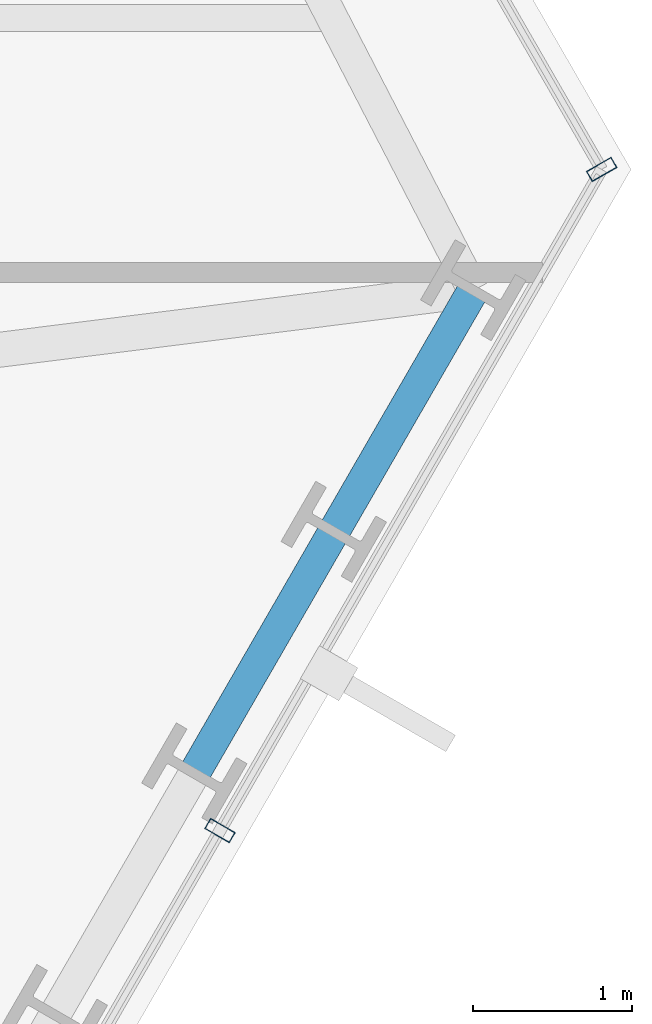
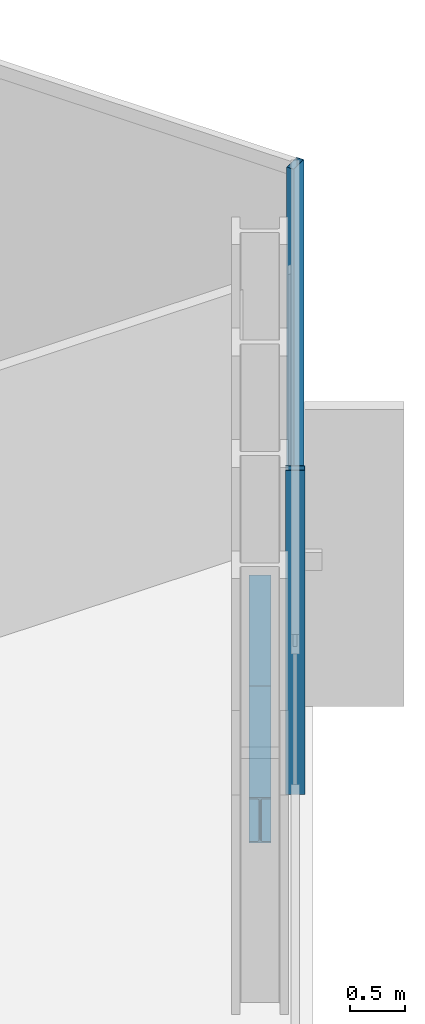
# One storey, part 18 of 33: 2 beams, 2 members, 2 elements without a shape of their own.
"""IFC4 building model written with IfcOpenShell, lengths in metres."""

from ifc_helpers import new_model, si_unit, direction, frame, origin, origin_2d, place, context, subcontext, project, spatial, hollow_rectangle, i_section, extrude, material, layer, layer_set, material_profile, profile_set, type_object, element, aggregate, save


model = new_model("IFC4")

# Units and contexts
model_context = context("Model", 3, precision=1e-05, world=origin(), true_north=direction((0.0, 1.0)))
body_context = subcontext(model_context, "Body", "Model", "MODEL_VIEW")
ifc_project = project(units=[si_unit("LENGTHUNIT", "METRE"), si_unit("AREAUNIT", "SQUARE_METRE"), si_unit("VOLUMEUNIT", "CUBIC_METRE"), si_unit("PLANEANGLEUNIT", "RADIAN"), si_unit("MASSUNIT", "GRAM", prefix="KILO")], contexts=[model_context])

# Site, building, storey
site_placement = place(None, origin())
site = spatial("IfcSite", under=ifc_project, at=site_placement, CompositionType="ELEMENT")
building_placement = place(site_placement, origin())
building = spatial("IfcBuilding", under=site, at=building_placement, Name="Ndaravel Arena Tower", CompositionType="ELEMENT")
storey_placement = place(building_placement, frame((0.0, 0.0, 85.39990234375)))
storey = spatial("IfcBuildingStorey", under=building, at=storey_placement, Name="L19", CompositionType="ELEMENT", Elevation=85.39990234375)

# Beams
ifc_material_1 = material(Name="Steel S355", Category="steel")
ifc_material_profile_1 = material_profile(ifc_material_1, i_section(OverallWidth=0.199951171875, OverallDepth=0.5, WebThickness=0.01025390625, FlangeThickness=0.01611328125, FilletRadius=0.02099609375, at=origin_2d()), Name="IPE 500")
ifc_profile_set_1 = profile_set([ifc_material_profile_1], Name="Steel S355")
beam_type = type_object("IfcBeamType", Name="BM-SPAN-IPE500", PredefinedType="SPANDREL", material=ifc_profile_set_1)
beam_1_placement = place(storey_placement, frame((62.9541015625, 13.845458984375, -0.469970703125), z_axis=(0.49990697594, 0.86607910459, 0.0), x_axis=(-0.86607910459, 0.49990697594, 0.0)))
element("IfcBeam", 1, at=beam_1_placement, inside=storey, type_object=beam_type, Name="L19 Perimeter Spandrel Beam SP-07", PredefinedType="SPANDREL", context=body_context, shape_type="SweptSolid", body=[
    extrude(i_section(OverallWidth=0.199951171875, OverallDepth=0.5, WebThickness=0.01025390625, FlangeThickness=0.01611328125, FilletRadius=0.02099609375, at=origin_2d()), origin(), (0.0, 0.0, 1.0), 1.756103515625),
])
beam_2_placement = place(storey_placement, frame((63.83203125, 15.366455078125, -0.469970703125), z_axis=(0.500011241135, 0.866018913615, 0.0), x_axis=(-0.866018913615, 0.500011241135, 0.0)))
element("IfcBeam", 2, at=beam_2_placement, inside=storey, type_object=beam_type, Name="L19 Perimeter Spandrel Beam SP-08", PredefinedType="SPANDREL", context=body_context, shape_type="SweptSolid", body=[
    extrude(i_section(OverallWidth=0.199951171875, OverallDepth=0.5, WebThickness=0.01025390625, FlangeThickness=0.01611328125, FilletRadius=0.02099609375, at=origin_2d()), origin(), (0.0, 0.0, 1.0), 1.75634765625),
])

# Curtain wall, member
ifc_material_2 = material(Name="Aluminium", Category="aluminium")
ifc_layer_1 = layer(ifc_material_2, 0.179931640625)
ifc_layer_set_1 = layer_set([ifc_layer_1], Name="Aluminium")
curtain_wall_type_1 = type_object("IfcCurtainWallType", Name="CW-SYS-01", PredefinedType="NOTDEFINED", material=ifc_layer_set_1)
curtain_wall_1_placement = place(storey_placement, origin())
curtain_wall_1 = element("IfcCurtainWall", 3, at=curtain_wall_1_placement, inside=storey, type_object=curtain_wall_type_1, Name="L19 Faceted Crystal Curtain Wall CW-L19-E02", PredefinedType="NOTDEFINED")
ifc_material_3 = material(Name="Aluminium", Category="aluminium")
ifc_material_profile_2 = material_profile(ifc_material_3, hollow_rectangle(XDim=0.074951171875, YDim=0.179931640625, WallThickness=0.00390625, at=origin_2d()), Name="CW MULLION 75x180x4")
ifc_profile_set_2 = profile_set([ifc_material_profile_2], Name="Aluminium")
member_type = type_object("IfcMemberType", Name="MEM-CW-MUL180", PredefinedType="MULLION", material=ifc_profile_set_2)
member_1_placement = place(storey_placement, frame((63.115478515625, 13.4853515625, 0.0), z_axis=(0.0, 0.0, 1.0), x_axis=(0.5, 0.866025403784, 0.0)))
member_1 = element("IfcMember", 4, at=member_1_placement, type_object=member_type, Name="CW-L19-E02 Mullion 02", PredefinedType="MULLION", context=body_context, shape_type="SweptSolid", body=[
    extrude(hollow_rectangle(XDim=0.074951171875, YDim=0.179931640625, WallThickness=0.00390625, at=origin_2d()), origin(), (0.0, 0.0, 1.0), 3.580078125),
])
aggregate(curtain_wall_1, [member_1])

ifc_material_4 = material(Name="Aluminium", Category="aluminium")
ifc_layer_2 = layer(ifc_material_4, 0.179931640625)
ifc_layer_set_2 = layer_set([ifc_layer_2], Name="Aluminium")
curtain_wall_type_2 = type_object("IfcCurtainWallType", Name="CW-SYS-03", PredefinedType="NOTDEFINED", material=ifc_layer_set_2)
curtain_wall_2_placement = place(storey_placement, origin())
curtain_wall_2 = element("IfcCurtainWall", 5, at=curtain_wall_2_placement, inside=storey, type_object=curtain_wall_type_2, Name="L19 Faceted Crystal Curtain Wall CW-L19-E03", PredefinedType="NOTDEFINED")
member_2_placement = place(storey_placement, frame((65.518798828125, 17.64794921875, 0.0), z_axis=(0.0, 0.0, 1.0), x_axis=(-0.5, 0.866025403784, 0.0)))
member_2 = element("IfcMember", 6, at=member_2_placement, type_object=member_type, Name="CW-L19-E03 Mullion 00", PredefinedType="MULLION", context=body_context, shape_type="SweptSolid", body=[
    extrude(hollow_rectangle(XDim=0.074951171875, YDim=0.179931640625, WallThickness=0.00390625, at=origin_2d()), origin(), (0.0, 0.0, 1.0), 3.580078125),
])
aggregate(curtain_wall_2, [member_2])

save(model, "model.ifc")
